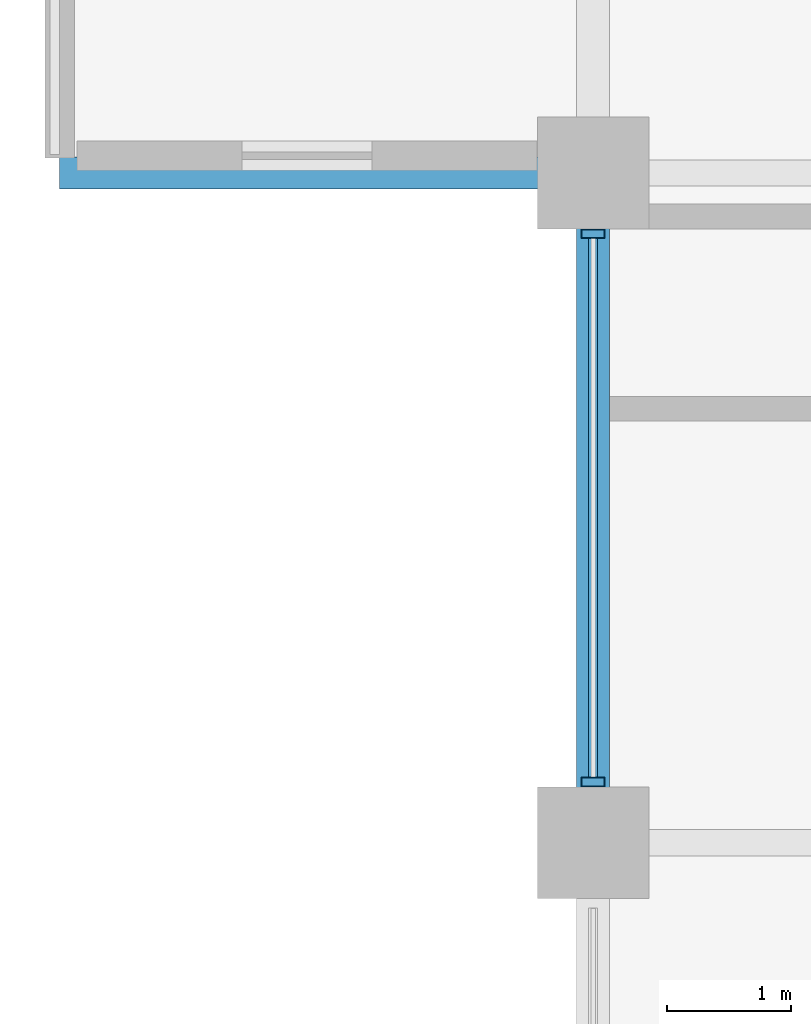
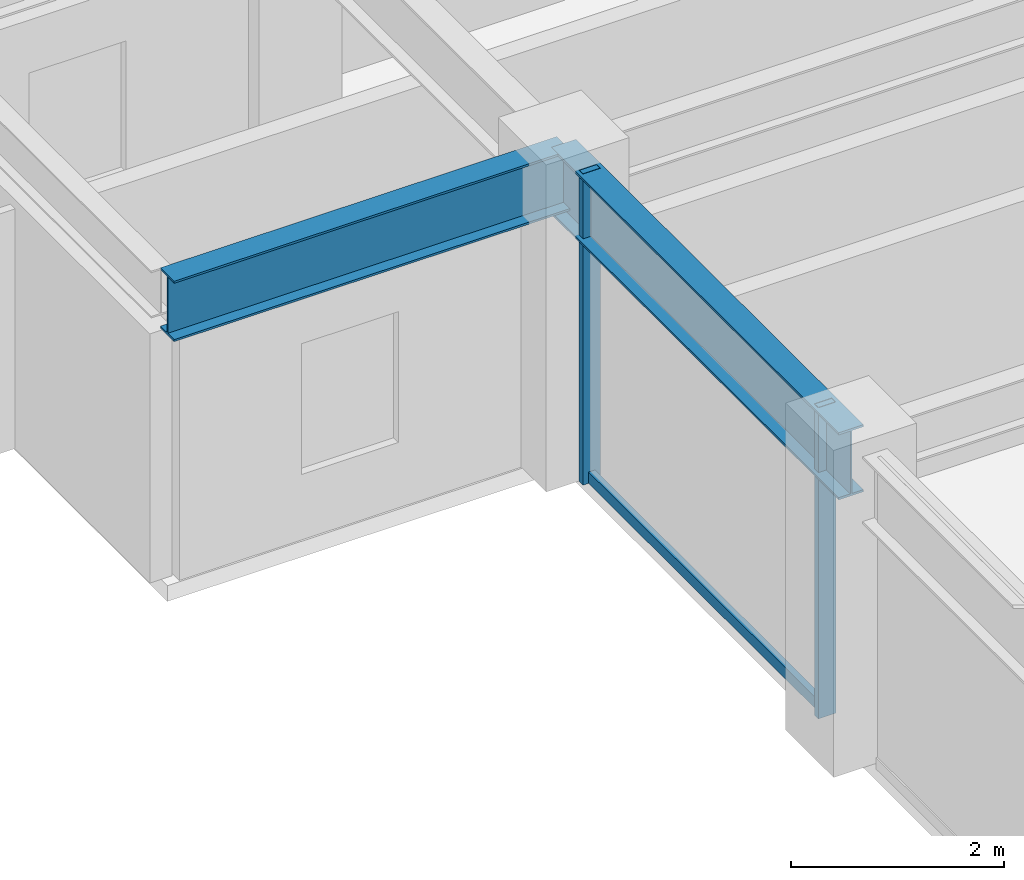
# One storey, part 5 of 28: 3 members, 2 beams, 1 element without a shape of its own.
"""IFC4 building model written with IfcOpenShell, lengths in metres."""

from ifc_helpers import new_model, si_unit, direction, frame, origin, origin_2d, place, context, subcontext, project, spatial, hollow_rectangle, i_section, extrude, material, layer, layer_set, material_profile, profile_set, type_object, element, aggregate, save


model = new_model("IFC4")

# Units and contexts
model_context = context("Model", 3, precision=1e-05, world=origin(), true_north=direction((0.0, 1.0)))
body_context = subcontext(model_context, "Body", "Model", "MODEL_VIEW")
ifc_project = project(units=[si_unit("LENGTHUNIT", "METRE"), si_unit("AREAUNIT", "SQUARE_METRE"), si_unit("VOLUMEUNIT", "CUBIC_METRE"), si_unit("PLANEANGLEUNIT", "RADIAN"), si_unit("MASSUNIT", "GRAM", prefix="KILO")], contexts=[model_context])

# Site, building, storey
site_placement = place(None, origin())
site = spatial("IfcSite", under=ifc_project, at=site_placement, CompositionType="ELEMENT")
building_placement = place(site_placement, origin())
building = spatial("IfcBuilding", under=site, at=building_placement, Name="Surkhivell Harbour Commons", CompositionType="ELEMENT")
storey_placement = place(building_placement, frame((0.0, 0.0, 178.5)))
storey = spatial("IfcBuildingStorey", under=building, at=storey_placement, Name="L46", CompositionType="ELEMENT", Elevation=178.5)

# Beams
ifc_material_1 = material(Name="Steel S460", Category="steel")
ifc_material_profile_1 = material_profile(ifc_material_1, i_section(OverallWidth=0.256103515625, OverallDepth=0.693115234375, WebThickness=0.014404296875, FlangeThickness=0.023681640625, at=origin_2d()), Name="UB686x254x170")
ifc_profile_set_1 = profile_set([ifc_material_profile_1], Name="Steel S460")
beam_type_1 = type_object("IfcBeamType", Name="BM-CNT-686", PredefinedType="BEAM", material=ifc_profile_set_1)
beam_1_placement = place(storey_placement, frame((-27.0, 0.0, 3.223388671875), z_axis=(-1.0, 0.0, 0.0), x_axis=(0.0, -1.0, 0.0)))
element("IfcBeam", 1, at=beam_1_placement, inside=storey, type_object=beam_type_1, Name="L46 Box Cantilever Outrigger (-27.0,0.0)", PredefinedType="BEAM", context=body_context, shape_type="SweptSolid", body=[
    extrude(i_section(OverallWidth=0.256103515625, OverallDepth=0.693115234375, WebThickness=0.014404296875, FlangeThickness=0.023681640625, at=origin_2d()), origin(), (0.0, 0.0, 1.0), 4.300048828125),
])
ifc_material_2 = material(Name="Steel S355", Category="steel")
ifc_material_profile_2 = material_profile(ifc_material_2, i_section(OverallWidth=0.26806640625, OverallDepth=0.77001953125, WebThickness=0.015625, FlangeThickness=0.025390625, at=origin_2d()), Name="UB762x267x197")
ifc_profile_set_2 = profile_set([ifc_material_profile_2], Name="Steel S355")
beam_type_2 = type_object("IfcBeamType", Name="BM-SPN-762", PredefinedType="SPANDREL", material=ifc_profile_set_2)
beam_2_placement = place(storey_placement, frame((-27.0, -5.39990234375, 3.18505859375), z_axis=(0.0, 1.0, 0.0), x_axis=(-1.0, 0.0, 0.0)))
element("IfcBeam", 2, at=beam_2_placement, inside=storey, type_object=beam_type_2, Name="L46 Tube Spandrel (-27.0,-5.4)", PredefinedType="SPANDREL", context=body_context, shape_type="SweptSolid", body=[
    extrude(i_section(OverallWidth=0.26806640625, OverallDepth=0.77001953125, WebThickness=0.015625, FlangeThickness=0.025390625, at=origin_2d()), origin(), (0.0, 0.0, 1.0), 5.39990234375),
])

# Curtain wall, members
ifc_material_3 = material(Name="Anodised pale-metal aluminium and insulated glazing", Category="aluminium")
ifc_layer = layer(ifc_material_3, 0.18994140625)
ifc_layer_set = layer_set([ifc_layer], Name="Anodised pale-metal aluminium and insulated glazing")
curtain_wall_type = type_object("IfcCurtainWallType", Name="CW-SYS-Z3", PredefinedType="NOTDEFINED", material=ifc_layer_set)
curtain_wall_placement = place(storey_placement, origin())
curtain_wall = element("IfcCurtainWall", 3, at=curtain_wall_placement, inside=storey, type_object=curtain_wall_type, Name="L46 Curtain Wall CW-L46-E12R1S1", PredefinedType="NOTDEFINED")
ifc_material_4 = material(Name="Anodised pale-metal aluminium alloy 6063-T6", Category="aluminium")
ifc_material_profile_3 = material_profile(ifc_material_4, hollow_rectangle(XDim=0.074951171875, YDim=0.18994140625, WallThickness=0.00390625, at=origin_2d()), Name="ALU-MULL-75x190")
ifc_profile_set_3 = profile_set([ifc_material_profile_3], Name="Anodised pale-metal aluminium alloy 6063-T6")
member_type_1 = type_object("IfcMemberType", Name="CWM-190", PredefinedType="MULLION", material=ifc_profile_set_3)
member_1_placement = place(storey_placement, frame((-27.0, -4.910400390625, 0.0), z_axis=(0.0, 0.0, 1.0), x_axis=(0.0, 1.0, 0.0)))
member_1 = element("IfcMember", 4, at=member_1_placement, type_object=member_type_1, Name="CW-Z3 mullion 2", PredefinedType="MULLION", context=body_context, shape_type="SweptSolid", body=[
    extrude(hollow_rectangle(XDim=0.074951171875, YDim=0.18994140625, WallThickness=0.00390625, at=origin_2d()), origin(), (0.0, 0.0, 1.0), 3.570068359375),
])
member_2_placement = place(storey_placement, frame((-27.0, -0.489501953125, 0.0), z_axis=(0.0, 0.0, 1.0), x_axis=(0.0, 1.0, 0.0)))
member_2 = element("IfcMember", 5, at=member_2_placement, type_object=member_type_1, Name="CW-Z3 mullion 3", PredefinedType="MULLION", context=body_context, shape_type="SweptSolid", body=[
    extrude(hollow_rectangle(XDim=0.074951171875, YDim=0.18994140625, WallThickness=0.00390625, at=origin_2d()), origin(), (0.0, 0.0, 1.0), 3.570068359375),
])
ifc_material_5 = material(Name="Champagne anodised aluminium alloy 6063-T6", Category="aluminium")
ifc_material_profile_4 = material_profile(ifc_material_5, hollow_rectangle(XDim=0.070068359375, YDim=0.1298828125, WallThickness=0.00341796875, at=origin_2d()), Name="ALU-TRAN-70x130")
ifc_profile_set_4 = profile_set([ifc_material_profile_4], Name="Champagne anodised aluminium alloy 6063-T6")
member_type_2 = type_object("IfcMemberType", Name="CWT-130", PredefinedType="USERDEFINED", material=ifc_profile_set_4)
member_3_placement = place(storey_placement, frame((-27.0, -4.873046875, 0.06494140625), z_axis=(0.0, 1.0, 0.0), x_axis=(-1.0, 0.0, 0.0)))
member_3 = element("IfcMember", 6, at=member_3_placement, type_object=member_type_2, Name="CW-Z3 transom 2.1", ObjectType="TRANSOM", PredefinedType="USERDEFINED", context=body_context, shape_type="SweptSolid", body=[
    extrude(hollow_rectangle(XDim=0.070068359375, YDim=0.1298828125, WallThickness=0.00341796875, at=origin_2d()), origin(), (0.0, 0.0, 1.0), 4.345947265625),
])
aggregate(curtain_wall, [member_1, member_2, member_3])

save(model, "model.ifc")
